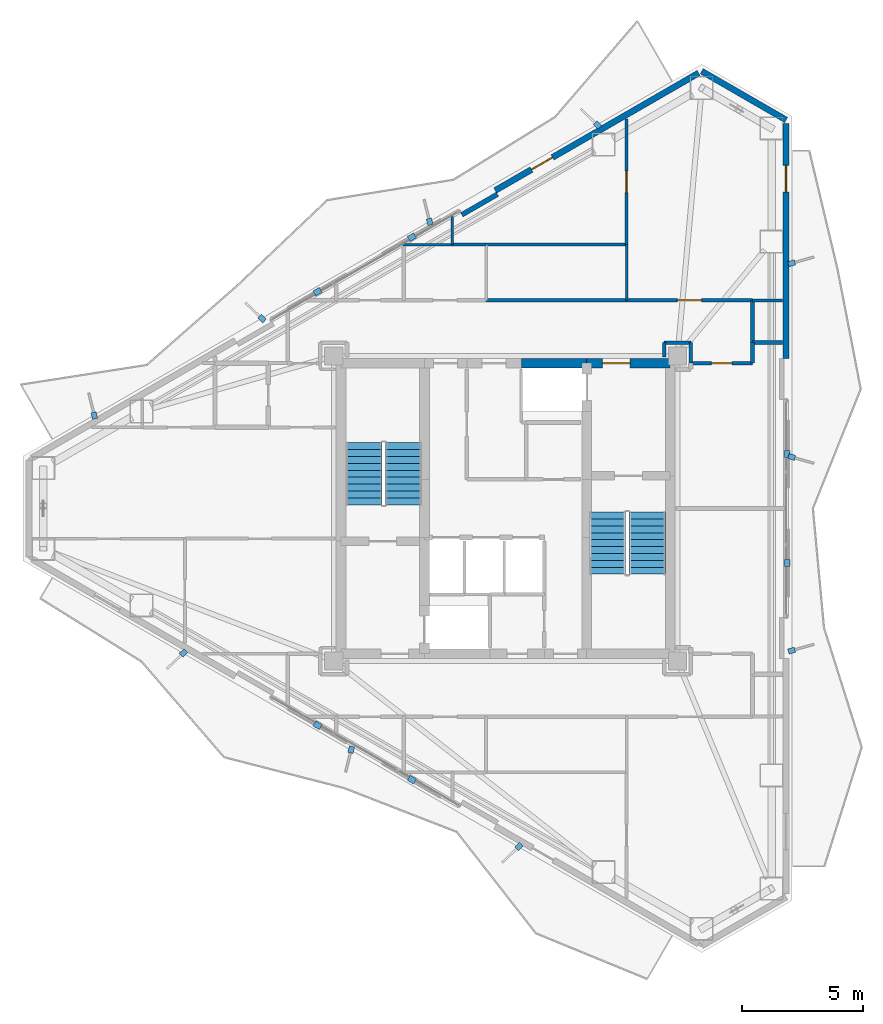
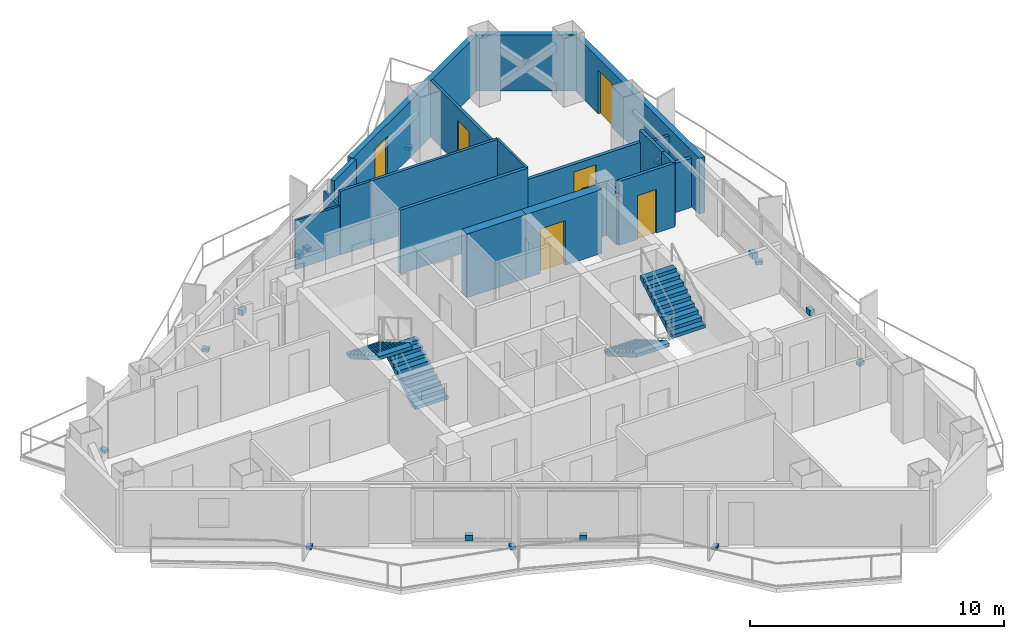
# One storey, part 19 of 21: 22 walls, 16 discrete accessories, 6 doors, 4 stair flights, 6 openings, 2 elements without a shape of their own.
"""IFC4 building model written with IfcOpenShell, lengths in metres."""

from ifc_helpers import new_model, si_unit, direction, frame, frame_2d, origin, origin_2d, place, context, subcontext, project, spatial, polyline, rectangle, outline, extrude, material, layer, layer_set, type_object, element, fill, aggregate, save


model = new_model("IFC4")

# Units and contexts
model_context = context("Model", 3, precision=1e-05, world=origin(), true_north=direction((0.0, 1.0)))
body_context = subcontext(model_context, "Body", "Model", "MODEL_VIEW")
ifc_project = project(units=[si_unit("LENGTHUNIT", "METRE"), si_unit("AREAUNIT", "SQUARE_METRE"), si_unit("VOLUMEUNIT", "CUBIC_METRE"), si_unit("PLANEANGLEUNIT", "RADIAN"), si_unit("MASSUNIT", "GRAM", prefix="KILO")], contexts=[model_context])

# Site, building, storey
site_placement = place(None, origin())
site = spatial("IfcSite", under=ifc_project, at=site_placement, CompositionType="ELEMENT")
building_placement = place(site_placement, origin())
building = spatial("IfcBuilding", under=site, at=building_placement, Name="Mersakhor Tower and Convention Hall", CompositionType="ELEMENT")
storey_placement = place(building_placement, frame((0.0, 0.0, 185.39990234375)))
storey = spatial("IfcBuildingStorey", under=building, at=storey_placement, Name="L51", CompositionType="ELEMENT", Elevation=185.39990234375)

# Wall
ifc_material_1 = material(Name="Precast concrete C40/50", Category="concrete")
ifc_layer_1 = layer(ifc_material_1, 0.25)
ifc_layer_set_1 = layer_set([ifc_layer_1], Name="Precast concrete C40/50")
wall_type_1 = type_object("IfcWallType", Name="WL-EXT-250", PredefinedType="SOLIDWALL", material=ifc_layer_set_1)
wall_1_placement = place(storey_placement, frame((37.10400390625, 44.81005859375, 0.0), z_axis=(0.0, 0.0, 1.0), x_axis=(0.866023907196, -0.500002592159, 0.0)))
element("IfcWall", 1, at=wall_1_placement, inside=storey, type_object=wall_type_1, Name="L51 Chamfer Braced Spandrel Wall C1", PredefinedType="SOLIDWALL", context=body_context, shape_type="SweptSolid", body=[
    extrude(rectangle(XDim=4.0234375, YDim=0.25, at=frame_2d((2.01171875, 0.0))), origin(), (0.0, 0.0, 1.0), 2.690185546875),
])

# Wall, opening, door
wall_2_placement = place(storey_placement, frame((28.57470703125, 39.885498046875, 0.0), z_axis=(0.0, 0.0, 1.0), x_axis=(0.866016233231, 0.500015883528, 0.0)))
wall_2 = element("IfcWall", 2, at=wall_2_placement, inside=storey, type_object=wall_type_1, Name="L51 Exterior Facade Wall F1-B3", PredefinedType="SOLIDWALL", context=body_context, shape_type="SweptSolid", body=[
    extrude(rectangle(XDim=9.698974609375, YDim=0.25, at=frame_2d((4.849609375, 0.0))), origin(), (0.0, 0.0, 1.0), 2.690185546875),
])
opening_1_placement = place(wall_2_placement, frame((1.72998046875, 0.0, 0.0)))
opening_1 = element("IfcOpeningElement", 3, at=opening_1_placement, cuts=wall_2, Name="Opening BD-01", PredefinedType="OPENING", context=body_context, shape_type="SweptSolid", body=[
    extrude(rectangle(XDim=1.0, YDim=2.10009765625, at=frame_2d((0.5, 1.050048828125))), frame((0.0, 0.135009765625, 0.0), z_axis=(0.0, -1.0, 0.0), x_axis=(1.0, 0.0, 0.0)), (0.0, 0.0, 1.0), 0.27001953125),
])
ifc_material_2 = material(Name="Thermally broken dark aluminium and safety glass", Category="aluminium")
door_type_1 = type_object("IfcDoorType", Name="DR-BAL-100x210", OperationType="NOTDEFINED", PredefinedType="DOOR", material=ifc_material_2)
door_1_placement = place(opening_1_placement, origin())
door_1 = element("IfcDoor", 4, at=door_1_placement, inside=storey, type_object=door_type_1, Name="L51 Balcony Terrace Door F1-B3", OperationType="SINGLE_SWING_LEFT", OverallHeight=2.10009765625, OverallWidth=1.0, PredefinedType="DOOR", context=body_context, shape_type="SweptSolid", body=[
    extrude(rectangle(XDim=1.0, YDim=2.10009765625, at=frame_2d((0.5, 1.050048828125))), frame((0.0, 0.02490234375, 0.0), z_axis=(0.0, -1.0, 0.0), x_axis=(1.0, 0.0, 0.0)), (0.0, 0.0, 1.0), 0.050048828125),
])
fill(opening_1, door_1)

wall_3_placement = place(storey_placement, frame((40.58837890625, 42.6484375, 0.0), z_axis=(0.0, 0.0, 1.0), x_axis=(0.0, -1.0, 0.0)))
wall_3 = element("IfcWall", 5, at=wall_3_placement, inside=storey, type_object=wall_type_1, Name="L51 Exterior Facade Wall F2-B1", PredefinedType="SOLIDWALL", context=body_context, shape_type="SweptSolid", body=[
    extrude(rectangle(XDim=9.698974609375, YDim=0.25, at=frame_2d((4.849609375, 0.0))), origin(), (0.0, 0.0, 1.0), 2.690185546875),
])
opening_2_placement = place(wall_3_placement, frame((1.72998046875, 0.0, 0.0)))
opening_2 = element("IfcOpeningElement", 6, at=opening_2_placement, cuts=wall_3, Name="Opening BD-02", PredefinedType="OPENING", context=body_context, shape_type="SweptSolid", body=[
    extrude(rectangle(XDim=1.10009765625, YDim=2.10009765625, at=frame_2d((0.550048828125, 1.050048828125))), frame((0.0, 0.135009765625, 0.0), z_axis=(0.0, -1.0, 0.0), x_axis=(1.0, 0.0, 0.0)), (0.0, 0.0, 1.0), 0.27001953125),
])
ifc_material_3 = material(Name="Thermally broken dark aluminium and safety glass", Category="aluminium")
door_type_2 = type_object("IfcDoorType", Name="DR-BAL-110x210", OperationType="NOTDEFINED", PredefinedType="DOOR", material=ifc_material_3)
door_2_placement = place(opening_2_placement, origin())
door_2 = element("IfcDoor", 7, at=door_2_placement, inside=storey, type_object=door_type_2, Name="L51 Balcony Terrace Door F2-B1", OperationType="SINGLE_SWING_RIGHT", OverallHeight=2.10009765625, OverallWidth=1.10009765625, PredefinedType="DOOR", context=body_context, shape_type="SweptSolid", body=[
    extrude(rectangle(XDim=1.10009765625, YDim=2.10009765625, at=frame_2d((0.550048828125, 1.050048828125))), frame((0.0, 0.02490234375, 0.0), z_axis=(0.0, -1.0, 0.0), x_axis=(1.0, 0.0, 0.0)), (0.0, 0.0, 1.0), 0.050048828125),
])
fill(opening_2, door_2)

# Walls
ifc_material_4 = material(Name="Precast concrete C40/50", Category="concrete")
ifc_layer_2 = layer(ifc_material_4, 0.199951171875)
ifc_layer_set_2 = layer_set([ifc_layer_2], Name="Precast concrete C40/50")
wall_type_2 = type_object("IfcWallType", Name="WL-PAR-200", PredefinedType="PARAPET", material=ifc_layer_set_2)
wall_4_placement = place(storey_placement, frame((27.1923828125, 38.879638671875, 0.0), z_axis=(0.0, 0.0, 1.0), x_axis=(0.866025371046, 0.500000056704, 0.0)))
element("IfcWall", 8, at=wall_4_placement, inside=storey, type_object=wall_type_2, Name="L51 Column Pier Cladding Wall F1-C2", PredefinedType="PARAPET", context=body_context, shape_type="SweptSolid", body=[
    extrude(rectangle(XDim=1.7001953125, YDim=0.199951171875, at=frame_2d((0.85009765625, 0.0))), origin(), (0.0, 0.0, 1.0), 2.690185546875),
])
ifc_material_5 = material(Name="Moisture-resistant acoustic drywall studwork", Category="other")
ifc_layer_3 = layer(ifc_material_5, 0.175048828125)
ifc_layer_set_3 = layer_set([ifc_layer_3], Name="Moisture-resistant acoustic drywall studwork")
wall_type_3 = type_object("IfcWallType", Name="WL-PLM-175", PredefinedType="PLUMBINGWALL", material=ifc_layer_set_3)
wall_5_placement = place(storey_placement, frame((39.199951171875, 33.60009765625, 0.0), z_axis=(0.0, 0.0, 1.0), x_axis=(1.0, 0.0, 0.0)))
element("IfcWall", 9, at=wall_5_placement, inside=storey, type_object=wall_type_3, Name="L51 Interior Partition Wall P-055", PredefinedType="PLUMBINGWALL", context=body_context, shape_type="SweptSolid", body=[
    extrude(rectangle(XDim=1.239501953125, YDim=0.175048828125, at=frame_2d((0.61962890625, 0.0))), origin(), (0.0, 0.0, 1.0), 2.364990234375),
])
ifc_material_6 = material(Name="Lightweight gypsum partition", Category="other")
ifc_layer_4 = layer(ifc_material_6, 0.10009765625)
ifc_layer_set_4 = layer_set([ifc_layer_4], Name="Lightweight gypsum partition")
wall_type_4 = type_object("IfcWallType", Name="WL-PRT-100", PredefinedType="PARTITIONING", material=ifc_layer_set_4)
wall_6_placement = place(storey_placement, frame((34.0, 35.35009765625, 0.0), z_axis=(0.0, 0.0, 1.0), x_axis=(0.0, 1.0, 0.0)))
element("IfcWall", 10, at=wall_6_placement, inside=storey, type_object=wall_type_4, Name="L51 Interior Partition Wall P-068", PredefinedType="PARTITIONING", context=body_context, shape_type="SweptSolid", body=[
    extrude(rectangle(XDim=2.2998046875, YDim=0.10009765625, at=frame_2d((1.14990234375, 0.0))), origin(), (0.0, 0.0, 1.0), 3.070068359375),
])
wall_7_placement = place(storey_placement, frame((24.771484375, 37.64990234375, 0.0), z_axis=(0.0, 0.0, 1.0), x_axis=(1.0, 0.0, 0.0)))
element("IfcWall", 11, at=wall_7_placement, inside=storey, type_object=wall_type_4, Name="L51 Interior Partition Wall P-076", PredefinedType="PARTITIONING", context=body_context, shape_type="SweptSolid", body=[
    extrude(rectangle(XDim=2.028564453125, YDim=0.10009765625, at=frame_2d((1.01416015625, 0.0))), origin(), (0.0, 0.0, 1.0), 2.364990234375),
])
wall_8_placement = place(storey_placement, frame((26.800048828125, 37.64990234375, 0.0), z_axis=(0.0, 0.0, 1.0), x_axis=(0.0, 1.0, 0.0)))
element("IfcWall", 12, at=wall_8_placement, inside=storey, type_object=wall_type_4, Name="L51 Interior Partition Wall P-080", PredefinedType="PARTITIONING", context=body_context, shape_type="SweptSolid", body=[
    extrude(rectangle(XDim=1.167236328125, YDim=0.10009765625, at=frame_2d((0.58349609375, 0.0))), origin(), (0.0, 0.0, 1.0), 2.364990234375),
])
ifc_material_7 = material(Name="Gypsum board acoustic partition", Category="other")
ifc_layer_5 = layer(ifc_material_7, 0.125)
ifc_layer_set_5 = layer_set([ifc_layer_5], Name="Gypsum board acoustic partition")
wall_type_5 = type_object("IfcWallType", Name="WL-PRT-125", PredefinedType="PARTITIONING", material=ifc_layer_set_5)
wall_9_placement = place(storey_placement, frame((40.439453125, 35.35009765625, 0.0), z_axis=(0.0, 0.0, 1.0), x_axis=(-1.0, 0.0, 0.0)))
element("IfcWall", 13, at=wall_9_placement, inside=storey, type_object=wall_type_5, Name="L51 Interior Partition Wall P-067", PredefinedType="PARTITIONING", context=body_context, shape_type="SweptSolid", body=[
    extrude(rectangle(XDim=1.239501953125, YDim=0.125, at=frame_2d((0.61962890625, 0.0))), origin(), (0.0, 0.0, 1.0), 2.364990234375),
])

# Wall, opening, door
wall_10_placement = place(storey_placement, frame((34.0, 37.64990234375, 0.0), z_axis=(0.0, 0.0, 1.0), x_axis=(0.0, 1.0, 0.0)))
wall_10 = element("IfcWall", 14, at=wall_10_placement, inside=storey, type_object=wall_type_5, Name="L51 Interior Partition Wall P-069", PredefinedType="PARTITIONING", context=body_context, shape_type="SweptSolid", body=[
    extrude(rectangle(XDim=5.19580078125, YDim=0.125, at=frame_2d((2.597900390625, 0.0))), origin(), (0.0, 0.0, 1.0), 2.734619140625),
])
opening_3_placement = place(wall_10_placement, frame((2.14794921875, 0.0, 0.0)))
opening_3 = element("IfcOpeningElement", 15, at=opening_3_placement, cuts=wall_10, Name="Opening WD-01", PredefinedType="OPENING", context=body_context, shape_type="SweptSolid", body=[
    extrude(rectangle(XDim=0.89990234375, YDim=2.10009765625, at=frame_2d((0.449951171875, 1.050048828125))), frame((0.0, 0.072509765625, 0.0), z_axis=(0.0, -1.0, 0.0), x_axis=(1.0, 0.0, 0.0)), (0.0, 0.0, 1.0), 0.14501953125),
])
ifc_material_8 = material(Name="Solid-core hardwood leaf in painted steel frame", Category="steel")
door_type_3 = type_object("IfcDoorType", Name="DR-INT-WET-090x210", OperationType="NOTDEFINED", PredefinedType="DOOR", material=ifc_material_8)
door_3_placement = place(opening_3_placement, origin())
door_3 = element("IfcDoor", 16, at=door_3_placement, inside=storey, type_object=door_type_3, Name="L51 L51 North-East Quiet Focus Room to L51 Floor Residents Study Room 1-3 Door", OperationType="SINGLE_SWING_LEFT", OverallHeight=2.10009765625, OverallWidth=0.89990234375, PredefinedType="DOOR", context=body_context, shape_type="SweptSolid", body=[
    extrude(rectangle(XDim=0.89990234375, YDim=2.10009765625, at=frame_2d((0.449951171875, 1.050048828125))), frame((0.0, 0.02490234375, 0.0), z_axis=(0.0, -1.0, 0.0), x_axis=(1.0, 0.0, 0.0)), (0.0, 0.0, 1.0), 0.050048828125),
])
fill(opening_3, door_3)

# Walls
wall_11_placement = place(storey_placement, frame((26.800048828125, 37.64990234375, 0.0), z_axis=(0.0, 0.0, 1.0), x_axis=(1.0, 0.0, 0.0)))
element("IfcWall", 17, at=wall_11_placement, inside=storey, type_object=wall_type_5, Name="L51 Interior Partition Wall P-077", PredefinedType="PARTITIONING", context=body_context, shape_type="SweptSolid", body=[
    extrude(rectangle(XDim=1.39990234375, YDim=0.125, at=frame_2d((0.699951171875, 0.0))), origin(), (0.0, 0.0, 1.0), 3.070068359375),
])
wall_12_placement = place(storey_placement, frame((34.0, 37.64990234375, 0.0), z_axis=(0.0, 0.0, 1.0), x_axis=(-1.0, 0.0, 0.0)))
element("IfcWall", 18, at=wall_12_placement, inside=storey, type_object=wall_type_5, Name="L51 Interior Partition Wall P-079", PredefinedType="PARTITIONING", context=body_context, shape_type="SweptSolid", body=[
    extrude(rectangle(XDim=5.800048828125, YDim=0.125, at=frame_2d((2.89990234375, 0.0))), origin(), (0.0, 0.0, 1.0), 3.070068359375),
])
ifc_material_9 = material(Name="Fire-rated gypsum board stud partition", Category="other")
ifc_layer_6 = layer(ifc_material_9, 0.14990234375)
ifc_layer_set_6 = layer_set([ifc_layer_6], Name="Fire-rated gypsum board stud partition")
wall_type_6 = type_object("IfcWallType", Name="WL-PRT-150", PredefinedType="PARTITIONING", material=ifc_layer_set_6)
wall_13_placement = place(storey_placement, frame((39.199951171875, 35.35009765625, 0.0), z_axis=(0.0, 0.0, 1.0), x_axis=(0.0, -1.0, 0.0)))
element("IfcWall", 19, at=wall_13_placement, inside=storey, type_object=wall_type_6, Name="L51 Interior Partition Wall P-016", PredefinedType="PARTITIONING", context=body_context, shape_type="SweptSolid", body=[
    extrude(rectangle(XDim=1.75, YDim=0.14990234375, at=frame_2d((0.875, 0.0))), origin(), (0.0, 0.0, 1.0), 3.070068359375),
])
wall_14_placement = place(storey_placement, frame((39.199951171875, 33.60009765625, 0.0), z_axis=(0.0, 0.0, 1.0), x_axis=(0.0, -1.0, 0.0)))
element("IfcWall", 20, at=wall_14_placement, inside=storey, type_object=wall_type_6, Name="L51 Interior Partition Wall P-017", PredefinedType="PARTITIONING", context=body_context, shape_type="SweptSolid", body=[
    extrude(rectangle(XDim=0.85009765625, YDim=0.14990234375, at=frame_2d((0.425048828125, 0.0))), origin(), (0.0, 0.0, 1.0), 3.070068359375),
])

# Wall, opening, door
wall_15_placement = place(storey_placement, frame((39.199951171875, 32.75, 0.0), z_axis=(0.0, 0.0, 1.0), x_axis=(-1.0, 0.0, 0.0)))
wall_15 = element("IfcWall", 21, at=wall_15_placement, inside=storey, type_object=wall_type_6, Name="L51 Interior Partition Wall P-018", PredefinedType="PARTITIONING", context=body_context, shape_type="SweptSolid", body=[
    extrude(rectangle(XDim=2.550048828125, YDim=0.14990234375, at=frame_2d((1.27490234375, 0.0))), origin(), (0.0, 0.0, 1.0), 3.070068359375),
])
opening_4_placement = place(wall_15_placement, frame((0.85009765625, 0.0, 0.0)))
opening_4 = element("IfcOpeningElement", 22, at=opening_4_placement, cuts=wall_15, Name="Opening SVD-01", PredefinedType="OPENING", context=body_context, shape_type="SweptSolid", body=[
    extrude(rectangle(XDim=0.85009765625, YDim=2.10009765625, at=frame_2d((0.425048828125, 1.050048828125))), frame((0.0, 0.0849609375, 0.0), z_axis=(0.0, -1.0, 0.0), x_axis=(1.0, 0.0, 0.0)), (0.0, 0.0, 1.0), 0.169921875),
])
ifc_material_10 = material(Name="Fire-rated hardwood leaf and painted steel frame", Category="steel")
door_type_4 = type_object("IfcDoorType", Name="DR-INT-SVC-085x210", OperationType="NOTDEFINED", PredefinedType="DOOR", material=ifc_material_10)
door_4_placement = place(opening_4_placement, origin())
door_4 = element("IfcDoor", 23, at=door_4_placement, inside=storey, type_object=door_type_4, Name="L51 Residential North Gallery Corridor to L51 East Wing Accessible Toilet WC Door", OperationType="SINGLE_SWING_LEFT", OverallHeight=2.10009765625, OverallWidth=0.85009765625, PredefinedType="DOOR", context=body_context, shape_type="SweptSolid", body=[
    extrude(rectangle(XDim=0.85009765625, YDim=2.10009765625, at=frame_2d((0.425048828125, 1.050048828125))), frame((0.0, 0.02490234375, 0.0), z_axis=(0.0, -1.0, 0.0), x_axis=(1.0, 0.0, 0.0)), (0.0, 0.0, 1.0), 0.050048828125),
])
fill(opening_4, door_4)

# Walls
wall_16_placement = place(storey_placement, frame((36.64990234375, 32.75, 0.0), z_axis=(0.0, 0.0, 1.0), x_axis=(0.0, 1.0, 0.0)))
element("IfcWall", 24, at=wall_16_placement, inside=storey, type_object=wall_type_6, Name="L51 Interior Partition Wall P-019", PredefinedType="PARTITIONING", context=body_context, shape_type="SweptSolid", body=[
    extrude(rectangle(XDim=0.85009765625, YDim=0.14990234375, at=frame_2d((0.425048828125, 0.0))), origin(), (0.0, 0.0, 1.0), 2.518310546875),
])
wall_17_placement = place(storey_placement, frame((36.64990234375, 33.60009765625, 0.0), z_axis=(0.0, 0.0, 1.0), x_axis=(-1.0, 0.0, 0.0)))
element("IfcWall", 25, at=wall_17_placement, inside=storey, type_object=wall_type_6, Name="L51 Interior Partition Wall P-020", PredefinedType="PARTITIONING", context=body_context, shape_type="SweptSolid", body=[
    extrude(rectangle(XDim=1.099853515625, YDim=0.14990234375, at=frame_2d((0.5498046875, 0.0))), origin(), (0.0, 0.0, 1.0), 2.518310546875),
])
wall_18_placement = place(storey_placement, frame((35.550048828125, 33.60009765625, 0.0), z_axis=(0.0, 0.0, 1.0), x_axis=(0.0, -1.0, 0.0)))
element("IfcWall", 26, at=wall_18_placement, inside=storey, type_object=wall_type_6, Name="L51 Interior Partition Wall P-021", PredefinedType="PARTITIONING", context=body_context, shape_type="SweptSolid", body=[
    extrude(rectangle(XDim=0.60009765625, YDim=0.14990234375, at=frame_2d((0.300048828125, 0.0))), origin(), (0.0, 0.0, 1.0), 2.59521484375),
])
wall_19_placement = place(storey_placement, frame((28.199951171875, 35.35009765625, 0.0), z_axis=(0.0, 0.0, 1.0), x_axis=(1.0, 0.0, 0.0)))
element("IfcWall", 27, at=wall_19_placement, inside=storey, type_object=wall_type_6, Name="L51 Interior Partition Wall P-030", PredefinedType="PARTITIONING", context=body_context, shape_type="SweptSolid", body=[
    extrude(rectangle(XDim=5.800048828125, YDim=0.14990234375, at=frame_2d((2.89990234375, 0.0))), origin(), (0.0, 0.0, 1.0), 3.070068359375),
])

# Wall, opening, door
wall_20_placement = place(storey_placement, frame((34.0, 35.35009765625, 0.0), z_axis=(0.0, 0.0, 1.0), x_axis=(1.0, 0.0, 0.0)))
wall_20 = element("IfcWall", 28, at=wall_20_placement, inside=storey, type_object=wall_type_6, Name="L51 Interior Partition Wall P-031", PredefinedType="PARTITIONING", context=body_context, shape_type="SweptSolid", body=[
    extrude(rectangle(XDim=5.199951171875, YDim=0.14990234375, at=frame_2d((2.60009765625, 0.0))), origin(), (0.0, 0.0, 1.0), 2.518310546875),
])
opening_5_placement = place(wall_20_placement, frame((2.10009765625, 0.0, 0.0)))
opening_5 = element("IfcOpeningElement", 29, at=opening_5_placement, cuts=wall_20, Name="Opening FD-01", PredefinedType="OPENING", context=body_context, shape_type="SweptSolid", body=[
    extrude(rectangle(XDim=1.0, YDim=2.14990234375, at=frame_2d((0.5, 1.074951171875))), frame((0.0, 0.0849609375, 0.0), z_axis=(0.0, -1.0, 0.0), x_axis=(1.0, 0.0, 0.0)), (0.0, 0.0, 1.0), 0.169921875),
])
ifc_material_11 = material(Name="Fire-rated hardwood leaf and painted steel frame", Category="steel")
door_type_5 = type_object("IfcDoorType", Name="DR-INT-FLT-100x215", OperationType="NOTDEFINED", PredefinedType="DOOR", material=ifc_material_11)
door_5_placement = place(opening_5_placement, origin())
door_5 = element("IfcDoor", 30, at=door_5_placement, inside=storey, type_object=door_type_5, Name="L51 Residential North Gallery Corridor to L51 North-East Quiet Focus Room Door", OperationType="SINGLE_SWING_LEFT", OverallHeight=2.14990234375, OverallWidth=1.0, PredefinedType="DOOR", context=body_context, shape_type="SweptSolid", body=[
    extrude(rectangle(XDim=1.0, YDim=2.14990234375, at=frame_2d((0.5, 1.074951171875))), frame((0.0, 0.02490234375, 0.0), z_axis=(0.0, -1.0, 0.0), x_axis=(1.0, 0.0, 0.0)), (0.0, 0.0, 1.0), 0.050048828125),
])
fill(opening_5, door_5)

# Wall
ifc_material_12 = material(Name="Concrete C60/75", Category="concrete")
ifc_layer_7 = layer(ifc_material_12, 0.39990234375)
ifc_layer_set_7 = layer_set([ifc_layer_7], Name="Concrete C60/75")
wall_type_7 = type_object("IfcWallType", Name="WL-SHR-400", PredefinedType="SHEAR", material=ifc_layer_set_7)
wall_21_placement = place(storey_placement, frame((29.64990234375, 32.75, 0.0), z_axis=(0.0, 0.0, 1.0), x_axis=(1.0, 0.0, 0.0)))
element("IfcWall", 31, at=wall_21_placement, inside=storey, type_object=wall_type_7, Name="L51 Core Wall CW-N3", PredefinedType="SHEAR", context=body_context, shape_type="SweptSolid", body=[
    extrude(rectangle(XDim=2.7001953125, YDim=0.39990234375, at=frame_2d((1.35009765625, 0.0))), origin(), (0.0, 0.0, 1.0), 3.070068359375),
])

# Wall, opening, door
wall_22_placement = place(storey_placement, frame((32.35009765625, 32.75, 0.0), z_axis=(0.0, 0.0, 1.0), x_axis=(1.0, 0.0, 0.0)))
wall_22 = element("IfcWall", 32, at=wall_22_placement, inside=storey, type_object=wall_type_7, Name="L51 Core Wall CW-N4", PredefinedType="SHEAR", context=body_context, shape_type="SweptSolid", body=[
    extrude(rectangle(XDim=3.449951171875, YDim=0.39990234375, at=frame_2d((1.72509765625, 0.0))), origin(), (0.0, 0.0, 1.0), 3.070068359375),
])
opening_6_placement = place(wall_22_placement, frame((0.64990234375, 0.0, 0.0)))
opening_6 = element("IfcOpeningElement", 33, at=opening_6_placement, cuts=wall_22, Name="Opening SD-01", PredefinedType="OPENING", context=body_context, shape_type="SweptSolid", body=[
    extrude(rectangle(XDim=1.14990234375, YDim=2.14990234375, at=frame_2d((0.574951171875, 1.074951171875))), frame((0.0, 0.2099609375, 0.0), z_axis=(0.0, -1.0, 0.0), x_axis=(1.0, 0.0, 0.0)), (0.0, 0.0, 1.0), 0.419921875),
])
ifc_material_13 = material(Name="Fire-rated hardwood leaf and painted steel frame", Category="steel")
door_type_6 = type_object("IfcDoorType", Name="DR-INT-STAIR-115x215", OperationType="NOTDEFINED", PredefinedType="DOOR", material=ifc_material_13)
door_6_placement = place(opening_6_placement, origin())
door_6 = element("IfcDoor", 34, at=door_6_placement, inside=storey, type_object=door_type_6, Name="L51 Firefighting Lobby East Fire Door", OperationType="SINGLE_SWING_RIGHT", OverallHeight=2.14990234375, OverallWidth=1.14990234375, PredefinedType="DOOR", context=body_context, shape_type="SweptSolid", body=[
    extrude(rectangle(XDim=1.14990234375, YDim=2.14990234375, at=frame_2d((0.574951171875, 1.074951171875))), frame((0.0, 0.02490234375, 0.0), z_axis=(0.0, -1.0, 0.0), x_axis=(1.0, 0.0, 0.0)), (0.0, 0.0, 1.0), 0.050048828125),
])
fill(opening_6, door_6)

# Stair, stair flights
ifc_material_14 = material(Name="Concrete C45/55", Category="concrete")
stair_type = type_object("IfcStairType", Name="ST-TWR-20R", PredefinedType="HALF_TURN_STAIR", material=ifc_material_14)
stair_1_placement = place(storey_placement, origin())
stair_1 = element("IfcStair", 35, at=stair_1_placement, inside=storey, type_object=stair_type, Name="L51 Tower Protected Exit Stair ST-1", PredefinedType="HALF_TURN_STAIR")
ifc_material_15 = material(Name="Concrete C45/55", Category="concrete")
stair_flight_type = type_object("IfcStairFlightType", Name="SFL-TWR-20R", PredefinedType="STRAIGHT", material=ifc_material_15)
stair_flight_1_placement = place(storey_placement, frame((24.800048828125, 26.89990234375, 0.0), z_axis=(0.0, 0.0, 1.0), x_axis=(0.0, 1.0, 0.0)))
stair_flight_1 = element("IfcStairFlight", 36, at=stair_flight_1_placement, type_object=stair_flight_type, Name="ST-1 flight 1", NumberOfRisers=10, NumberOfTreads=9, PredefinedType="STRAIGHT", RiserHeight=0.165, TreadLength=0.285, context=body_context, shape_type="SweptSolid", body=[
    extrude(outline(polyline([(0.0, 0.0), (0.0, 0.1650390625), (0.284912109375, 0.1650390625), (0.284912109375, 0.330078125), (0.570068359375, 0.330078125), (0.570068359375, 0.4951171875), (0.85498046875, 0.4951171875), (0.85498046875, 0.659912109375), (1.139892578125, 0.659912109375), (1.139892578125, 0.824951171875), (1.425048828125, 0.824951171875), (1.425048828125, 0.989990234375), (1.7099609375, 0.989990234375), (1.7099609375, 1.155029296875), (1.9951171875, 1.155029296875), (1.9951171875, 1.320068359375), (2.280029296875, 1.320068359375), (2.280029296875, 1.485107421875), (2.56494140625, 1.485107421875), (2.56494140625, 1.64990234375), (2.56494140625, 1.311767578125), (0.299072265625, 0.0), (0.0, 0.0)])), frame((0.0, 0.75, 0.0), z_axis=(0.0, -1.0, 0.0), x_axis=(1.0, 0.0, 0.0)), (0.0, 0.0, 1.0), 1.5),
])
stair_flight_2_placement = place(storey_placement, frame((23.14990234375, 29.465087890625, 1.650146484375), z_axis=(0.0, 0.0, 1.0), x_axis=(0.0, -1.0, 0.0)))
stair_flight_2 = element("IfcStairFlight", 37, at=stair_flight_2_placement, type_object=stair_flight_type, Name="ST-1 flight 2", NumberOfRisers=10, NumberOfTreads=9, PredefinedType="STRAIGHT", RiserHeight=0.165, TreadLength=0.285, context=body_context, shape_type="SweptSolid", body=[
    extrude(outline(polyline([(0.0, 0.0), (0.0, 0.1650390625), (0.284912109375, 0.1650390625), (0.284912109375, 0.330078125), (0.570068359375, 0.330078125), (0.570068359375, 0.4951171875), (0.85498046875, 0.4951171875), (0.85498046875, 0.659912109375), (1.139892578125, 0.659912109375), (1.139892578125, 0.824951171875), (1.425048828125, 0.824951171875), (1.425048828125, 0.989990234375), (1.7099609375, 0.989990234375), (1.7099609375, 1.155029296875), (1.9951171875, 1.155029296875), (1.9951171875, 1.320068359375), (2.280029296875, 1.320068359375), (2.280029296875, 1.485107421875), (2.56494140625, 1.485107421875), (2.56494140625, 1.64990234375), (2.56494140625, 1.311767578125), (0.299072265625, 0.0), (0.0, 0.0)])), frame((0.0, 0.75, 0.0), z_axis=(0.0, -1.0, 0.0), x_axis=(1.0, 0.0, 0.0)), (0.0, 0.0, 1.0), 1.5),
])
aggregate(stair_1, [stair_flight_1, stair_flight_2])

stair_2_placement = place(storey_placement, origin())
stair_2 = element("IfcStair", 38, at=stair_2_placement, inside=storey, type_object=stair_type, Name="L51 Tower Protected Exit Stair ST-2", PredefinedType="HALF_TURN_STAIR")
stair_flight_3_placement = place(storey_placement, frame((33.199951171875, 26.60009765625, 0.0), z_axis=(0.0, 0.0, 1.0), x_axis=(0.0, -1.0, 0.0)))
stair_flight_3 = element("IfcStairFlight", 39, at=stair_flight_3_placement, type_object=stair_flight_type, Name="ST-2 flight 1", NumberOfRisers=10, NumberOfTreads=9, PredefinedType="STRAIGHT", RiserHeight=0.165, TreadLength=0.285, context=body_context, shape_type="SweptSolid", body=[
    extrude(outline(polyline([(0.0, 0.0), (0.0, 0.1650390625), (0.284912109375, 0.1650390625), (0.284912109375, 0.330078125), (0.570068359375, 0.330078125), (0.570068359375, 0.4951171875), (0.85498046875, 0.4951171875), (0.85498046875, 0.659912109375), (1.139892578125, 0.659912109375), (1.139892578125, 0.824951171875), (1.425048828125, 0.824951171875), (1.425048828125, 0.989990234375), (1.7099609375, 0.989990234375), (1.7099609375, 1.155029296875), (1.9951171875, 1.155029296875), (1.9951171875, 1.320068359375), (2.280029296875, 1.320068359375), (2.280029296875, 1.485107421875), (2.56494140625, 1.485107421875), (2.56494140625, 1.64990234375), (2.56494140625, 1.311767578125), (0.299072265625, 0.0), (0.0, 0.0)])), frame((0.0, 0.75, 0.0), z_axis=(0.0, -1.0, 0.0), x_axis=(1.0, 0.0, 0.0)), (0.0, 0.0, 1.0), 1.5),
])
stair_flight_4_placement = place(storey_placement, frame((34.85009765625, 24.034912109375, 1.650146484375), z_axis=(0.0, 0.0, 1.0), x_axis=(0.0, 1.0, 0.0)))
stair_flight_4 = element("IfcStairFlight", 40, at=stair_flight_4_placement, type_object=stair_flight_type, Name="ST-2 flight 2", NumberOfRisers=10, NumberOfTreads=9, PredefinedType="STRAIGHT", RiserHeight=0.165, TreadLength=0.285, context=body_context, shape_type="SweptSolid", body=[
    extrude(outline(polyline([(0.0, 0.0), (0.0, 0.1650390625), (0.284912109375, 0.1650390625), (0.284912109375, 0.330078125), (0.570068359375, 0.330078125), (0.570068359375, 0.4951171875), (0.85498046875, 0.4951171875), (0.85498046875, 0.659912109375), (1.139892578125, 0.659912109375), (1.139892578125, 0.824951171875), (1.425048828125, 0.824951171875), (1.425048828125, 0.989990234375), (1.7099609375, 0.989990234375), (1.7099609375, 1.155029296875), (1.9951171875, 1.155029296875), (1.9951171875, 1.320068359375), (2.280029296875, 1.320068359375), (2.280029296875, 1.485107421875), (2.56494140625, 1.485107421875), (2.56494140625, 1.64990234375), (2.56494140625, 1.311767578125), (0.299072265625, 0.0), (0.0, 0.0)])), frame((0.0, 0.75, 0.0), z_axis=(0.0, -1.0, 0.0), x_axis=(1.0, 0.0, 0.0)), (0.0, 0.0, 1.0), 1.5),
])
aggregate(stair_2, [stair_flight_3, stair_flight_4])

# Discrete accessories
ifc_material_16 = material(Name="Galvanised steel bracket", Category="steel")
ifc_layer_8 = layer(ifc_material_16, 0.02001953125)
ifc_layer_set_8 = layer_set([ifc_layer_8], Name="Galvanised steel bracket")
discrete_accessory_type = type_object("IfcDiscreteAccessoryType", Name="ACC-BRK-STL", PredefinedType="BRACKET", material=ifc_layer_set_8)
for number, where, z_axis, x_axis, name in (
    (41, (21.232421875, 35.704345703125, 0.2900390625), (0.0, 0.0, 1.0), (0.866025403784, 0.5, 0.0), "L51 Solar Screen Outrigger Bracket BRK-1-1"),
    (42, (25.129150390625, 37.9541015625, 0.2900390625), (0.0, 0.0, 1.0), (0.866025403784, 0.5, 0.0), "L51 Solar Screen Outrigger Bracket BRK-1-2"),
):
    element("IfcDiscreteAccessory", number, at=place(storey_placement, frame(where, z_axis=z_axis, x_axis=x_axis)), inside=storey, type_object=discrete_accessory_type, Name=name, PredefinedType="BRACKET", context=body_context, shape_type="SweptSolid", body=[
        extrude(rectangle(XDim=0.300048828125, YDim=0.239990234375, at=origin_2d()), origin(), (0.0, 0.0, 1.0), 0.260009765625),
    ])
for number, where, z_axis, x_axis, name in (
    (43, (12.011962890625, 30.588623046875, -0.02001953125), (0.0, 0.0, 1.0), (-0.2419218956, 0.970295726276, 0.0), "L51 Facade Fin Base Cleat Bracket FBRK-1-1"),
    (44, (18.940185546875, 34.588623046875, -0.02001953125), (0.0, 0.0, 1.0), (-0.719339800339, 0.694658370459, 0.0), "L51 Facade Fin Base Cleat Bracket FBRK-1-2"),
    (45, (25.868408203125, 38.588623046875, -0.02001953125), (0.0, 0.0, 1.0), (-0.2419218956, 0.970295726276, 0.0), "L51 Facade Fin Base Cleat Bracket FBRK-1-3"),
    (46, (32.796630859375, 42.588623046875, -0.02001953125), (0.0, 0.0, 1.0), (-0.719339800339, 0.694658370459, 0.0), "L51 Facade Fin Base Cleat Bracket FBRK-1-4"),
):
    element("IfcDiscreteAccessory", number, at=place(storey_placement, frame(where, z_axis=z_axis, x_axis=x_axis)), inside=storey, type_object=discrete_accessory_type, Name=name, PredefinedType="BRACKET", context=body_context, shape_type="SweptSolid", body=[
        extrude(rectangle(XDim=0.280029296875, YDim=0.219970703125, at=origin_2d()), origin(), (0.0, 0.0, 1.0), 0.159912109375),
    ])
for number, where, z_axis, x_axis, name in (
    (47, (40.638427734375, 28.999755859375, 0.2900390625), (0.0, 0.0, 1.0), (0.0, -1.0, 0.0), "L51 Solar Screen Outrigger Bracket BRK-2-1"),
    (48, (40.638427734375, 24.500244140625, 0.2900390625), (0.0, 0.0, 1.0), (0.0, -1.0, 0.0), "L51 Solar Screen Outrigger Bracket BRK-2-2"),
):
    element("IfcDiscreteAccessory", number, at=place(storey_placement, frame(where, z_axis=z_axis, x_axis=x_axis)), inside=storey, type_object=discrete_accessory_type, Name=name, PredefinedType="BRACKET", context=body_context, shape_type="SweptSolid", body=[
        extrude(rectangle(XDim=0.300048828125, YDim=0.239990234375, at=origin_2d()), origin(), (0.0, 0.0, 1.0), 0.260009765625),
    ])
for number, where, z_axis, x_axis, name in (
    (49, (40.818359375, 36.8759765625, -0.02001953125), (0.0, 0.0, 1.0), (0.961261695938, 0.275637355817, 0.0), "L51 Facade Fin Base Cleat Bracket FBRK-2-1"),
    (50, (40.818359375, 28.8759765625, -0.02001953125), (0.0, 0.0, 1.0), (0.961261695938, -0.275637355817, 0.0), "L51 Facade Fin Base Cleat Bracket FBRK-2-2"),
    (51, (40.818359375, 20.8759765625, -0.02001953125), (0.0, 0.0, 1.0), (0.961261695938, 0.275637355817, 0.0), "L51 Facade Fin Base Cleat Bracket FBRK-2-3"),
):
    element("IfcDiscreteAccessory", number, at=place(storey_placement, frame(where, z_axis=z_axis, x_axis=x_axis)), inside=storey, type_object=discrete_accessory_type, Name=name, PredefinedType="BRACKET", context=body_context, shape_type="SweptSolid", body=[
        extrude(rectangle(XDim=0.280029296875, YDim=0.219970703125, at=origin_2d()), origin(), (0.0, 0.0, 1.0), 0.159912109375),
    ])
for number, where, z_axis, x_axis, name in (
    (52, (25.129150390625, 15.5458984375, 0.2900390625), (0.0, 0.0, 1.0), (-0.866025403784, 0.5, 0.0), "L51 Solar Screen Outrigger Bracket BRK-3-1"),
    (53, (21.232421875, 17.795654296875, 0.2900390625), (0.0, 0.0, 1.0), (-0.866025403784, 0.5, 0.0), "L51 Solar Screen Outrigger Bracket BRK-3-2"),
):
    element("IfcDiscreteAccessory", number, at=place(storey_placement, frame(where, z_axis=z_axis, x_axis=x_axis)), inside=storey, type_object=discrete_accessory_type, Name=name, PredefinedType="BRACKET", context=body_context, shape_type="SweptSolid", body=[
        extrude(rectangle(XDim=0.300048828125, YDim=0.239990234375, at=origin_2d()), origin(), (0.0, 0.0, 1.0), 0.260009765625),
    ])
for number, where, z_axis, x_axis, name in (
    (54, (29.55078125, 12.785400390625, -0.02001953125), (0.0, 0.0, 1.0), (-0.719339800339, -0.694658370459, 0.0), "L51 Facade Fin Base Cleat Bracket FBRK-3-1"),
    (55, (22.62255859375, 16.785400390625, -0.02001953125), (0.0, 0.0, 1.0), (-0.2419218956, -0.970295726276, 0.0), "L51 Facade Fin Base Cleat Bracket FBRK-3-2"),
    (56, (15.6943359375, 20.785400390625, -0.02001953125), (0.0, 0.0, 1.0), (-0.719339800339, -0.694658370459, 0.0), "L51 Facade Fin Base Cleat Bracket FBRK-3-3"),
):
    element("IfcDiscreteAccessory", number, at=place(storey_placement, frame(where, z_axis=z_axis, x_axis=x_axis)), inside=storey, type_object=discrete_accessory_type, Name=name, PredefinedType="BRACKET", context=body_context, shape_type="SweptSolid", body=[
        extrude(rectangle(XDim=0.280029296875, YDim=0.219970703125, at=origin_2d()), origin(), (0.0, 0.0, 1.0), 0.159912109375),
    ])

save(model, "model.ifc")
